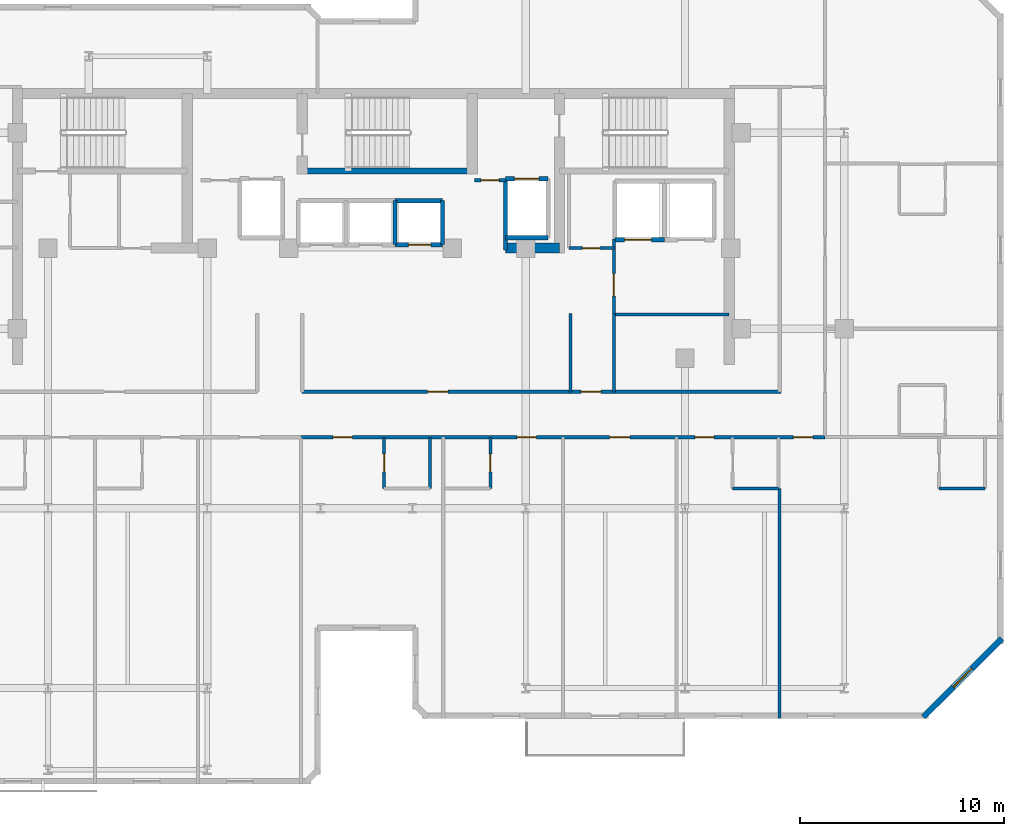
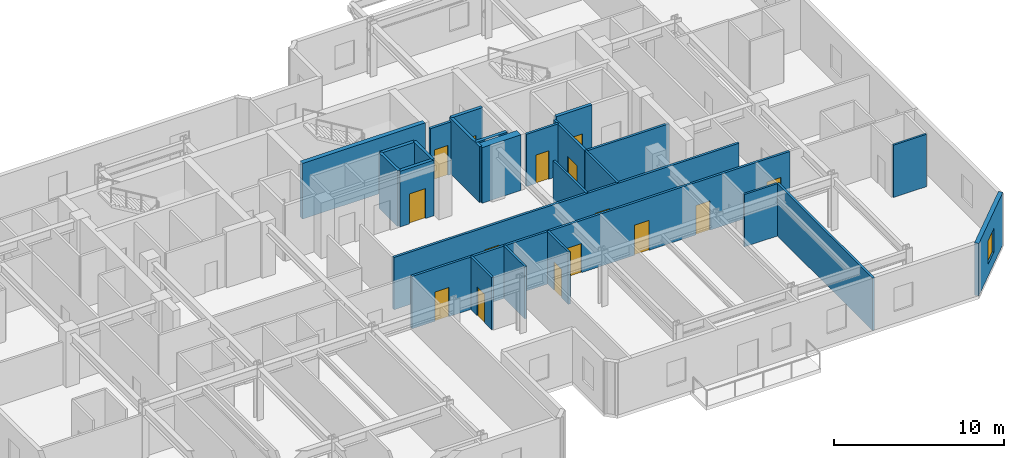
# One storey, part 6 of 10: 25 walls, 15 doors, 1 window, 16 openings.
"""IFC4 building model written with IfcOpenShell, lengths in metres."""

from ifc_helpers import new_model, si_unit, direction, frame, frame_2d, origin, place, context, subcontext, project, spatial, rectangle, extrude, material, layer, layer_set, type_object, element, fill, save


model = new_model("IFC4")

# Units and contexts
model_context = context("Model", 3, precision=1e-05, world=origin(), true_north=direction((0.0, 1.0)))
body_context = subcontext(model_context, "Body", "Model", "MODEL_VIEW")
ifc_project = project(units=[si_unit("LENGTHUNIT", "METRE"), si_unit("AREAUNIT", "SQUARE_METRE"), si_unit("VOLUMEUNIT", "CUBIC_METRE"), si_unit("PLANEANGLEUNIT", "RADIAN"), si_unit("MASSUNIT", "GRAM", prefix="KILO")], contexts=[model_context])

# Site, building, storey
site_placement = place(None, origin())
site = spatial("IfcSite", under=ifc_project, at=site_placement, CompositionType="ELEMENT")
building_placement = place(site_placement, origin())
building = spatial("IfcBuilding", under=site, at=building_placement, Name="Kestravale Grand Hotel", CompositionType="ELEMENT")
storey_placement = place(building_placement, frame((0.0, 0.0, 253.39990234375)))
storey = spatial("IfcBuildingStorey", under=building, at=storey_placement, Name="L63", CompositionType="ELEMENT", Elevation=253.39990234375)

# Wall
ifc_material_1 = material(Name="Concrete f'c 50 MPa", Category="concrete")
ifc_layer_1 = layer(ifc_material_1, 0.5)
ifc_layer_set_1 = layer_set([ifc_layer_1], Name="EW-CORE-500")
wall_type_1 = type_object("IfcWallType", Name="EW-CORE-500", PredefinedType="SHEAR", material=ifc_layer_set_1)
wall_1_placement = place(storey_placement, frame((45.81005859375, 32.75, 0.0), z_axis=(0.0, 0.0, 1.0), x_axis=(1.0, 0.0, 0.0)))
element("IfcWall", 1, at=wall_1_placement, inside=storey, type_object=wall_type_1, Name="L63 core shear wall S2", PredefinedType="SHEAR", context=body_context, shape_type="SweptSolid", body=[
    extrude(rectangle(XDim=2.639892578125, YDim=0.5, at=frame_2d((1.31982421875, 0.0))), origin(), (0.0, 0.0, 1.0), 4.0),
])

# Wall, opening, window
ifc_material_2 = material(Name="Precast concrete f'c 45 MPa", Category="concrete")
ifc_layer_2 = layer(ifc_material_2, 0.280029296875)
ifc_layer_set_2 = layer_set([ifc_layer_2], Name="EW-PREC-280")
wall_type_2 = type_object("IfcWallType", Name="EW-PREC-280", PredefinedType="SOLIDWALL", material=ifc_layer_set_2)
wall_2_placement = place(storey_placement, frame((66.272705078125, 9.770751953125, 0.0), z_axis=(0.0, 0.0, 1.0), x_axis=(0.707129162587, 0.707084399077, 0.0)))
wall_2 = element("IfcWall", 2, at=wall_2_placement, inside=storey, type_object=wall_type_2, Name="L63 fluted precast facade wall 8", PredefinedType="SOLIDWALL", context=body_context, shape_type="SweptSolid", body=[
    extrude(rectangle(XDim=5.4541015625, YDim=0.280029296875, at=frame_2d((2.72705078125, 0.0))), origin(), (0.0, 0.0, 1.0), 3.760009765625),
])
opening_1_placement = place(wall_2_placement, frame((2.076904296875, 0.0, 0.85009765625)))
opening_1 = element("IfcOpeningElement", 3, at=opening_1_placement, cuts=wall_2, Name="Opening W-GUEST-1300", PredefinedType="OPENING", context=body_context, shape_type="SweptSolid", body=[
    extrude(rectangle(XDim=1.300048828125, YDim=1.699951171875, at=frame_2d((0.64990234375, 0.85009765625))), frame((0.0, 0.14990234375, 0.0), z_axis=(0.0, -1.0, 0.0), x_axis=(1.0, 0.0, 0.0)), (0.0, 0.0, 1.0), 0.300048828125),
])
ifc_material_3 = material(Name="Insulated low-E double glazing in aluminium frame", Category="aluminium")
window_type = type_object("IfcWindowType", Name="W-GUEST-1300", PartitioningType="SINGLE_PANEL", PredefinedType="WINDOW", material=ifc_material_3)
window_placement = place(opening_1_placement, origin())
window = element("IfcWindow", 4, at=window_placement, inside=storey, type_object=window_type, Name="L63 exterior window 8.1", OverallHeight=1.699951171875, OverallWidth=1.300048828125, PartitioningType="SINGLE_PANEL", PredefinedType="WINDOW", context=body_context, shape_type="SweptSolid", body=[
    extrude(rectangle(XDim=1.300048828125, YDim=1.699951171875, at=frame_2d((0.64990234375, 0.85009765625))), frame((0.0, 0.030029296875, 0.0), z_axis=(0.0, -1.0, 0.0), x_axis=(1.0, 0.0, 0.0)), (0.0, 0.0, 1.0), 0.06005859375),
])
fill(opening_1, window)

# Wall
ifc_material_4 = material(Name="Concrete f'c 45 MPa", Category="concrete")
ifc_layer_3 = layer(ifc_material_4, 0.300048828125)
ifc_layer_set_3 = layer_set([ifc_layer_3], Name="EW-STAIR-300")
wall_type_3 = type_object("IfcWallType", Name="EW-STAIR-300", PredefinedType="SHEAR", material=ifc_layer_set_3)
wall_3_placement = place(storey_placement, frame((35.85009765625, 36.52001953125, 0.0), z_axis=(0.0, 0.0, 1.0), x_axis=(1.0, 0.0, 0.0)))
element("IfcWall", 5, at=wall_3_placement, inside=storey, type_object=wall_type_3, Name="L63 stair enclosure shear wall SST2", PredefinedType="SHEAR", context=body_context, shape_type="SweptSolid", body=[
    extrude(rectangle(XDim=8.329833984375, YDim=0.300048828125, at=frame_2d((4.1650390625, 0.0))), origin(), (0.0, 0.0, 1.0), 4.0),
])

# Wall, opening, door
ifc_material_5 = material(Name="Acoustic fire-rated gypsum board partition", Category="other")
ifc_layer_4 = layer(ifc_material_5, 0.159912109375)
ifc_layer_set_4 = layer_set([ifc_layer_4], Name="IW-CORR-160")
wall_type_4 = type_object("IfcWallType", Name="IW-CORR-160", PredefinedType="PARTITIONING", material=ifc_layer_set_4)
wall_4_placement = place(storey_placement, frame((51.1201171875, 29.5, 0.0), z_axis=(0.0, 0.0, 1.0), x_axis=(0.0, 1.0, 0.0)))
wall_4 = element("IfcWall", 6, at=wall_4_placement, inside=storey, type_object=wall_type_4, Name="W-L63-SVCLOB-W", PredefinedType="PARTITIONING", context=body_context, shape_type="SweptSolid", body=[
    extrude(rectangle(XDim=3.699951171875, YDim=0.159912109375, at=frame_2d((1.85009765625, 0.0))), origin(), (0.0, 0.0, 1.0), 3.760009765625),
])
opening_2_placement = place(wall_4_placement, frame((0.89990234375, 0.0, 0.0)))
opening_2 = element("IfcOpeningElement", 7, at=opening_2_placement, cuts=wall_4, Name="Opening D-CORR-1100", PredefinedType="OPENING", context=body_context, shape_type="SweptSolid", body=[
    extrude(rectangle(XDim=1.10009765625, YDim=2.14990234375, at=frame_2d((0.550048828125, 1.074951171875))), frame((0.0, 0.08984375, 0.0), z_axis=(0.0, -1.0, 0.0), x_axis=(1.0, 0.0, 0.0)), (0.0, 0.0, 1.0), 0.179931640625),
])
ifc_material_6 = material(Name="Single-leaf service vestibule fire door", Category="steel")
door_type_1 = type_object("IfcDoorType", Name="D-CORR-1100", OperationType="NOTDEFINED", PredefinedType="DOOR", material=ifc_material_6)
door_1_placement = place(opening_2_placement, origin())
door_1 = element("IfcDoor", 8, at=door_1_placement, inside=storey, type_object=door_type_1, Name="L63 service lift lobby door", OperationType="SINGLE_SWING_LEFT", OverallHeight=2.14990234375, OverallWidth=1.10009765625, PredefinedType="DOOR", context=body_context, shape_type="SweptSolid", body=[
    extrude(rectangle(XDim=1.10009765625, YDim=2.14990234375, at=frame_2d((0.550048828125, 1.074951171875))), frame((0.0, 0.02490234375, 0.0), z_axis=(0.0, -1.0, 0.0), x_axis=(1.0, 0.0, 0.0)), (0.0, 0.0, 1.0), 0.050048828125),
])
fill(opening_2, door_1)

# Wall
wall_5_placement = place(storey_placement, frame((51.1201171875, 29.5, 0.0), z_axis=(0.0, 0.0, 1.0), x_axis=(1.0, 0.0, 0.0)))
element("IfcWall", 9, at=wall_5_placement, inside=storey, type_object=wall_type_4, Name="L63 service lift lobby wall", PredefinedType="PARTITIONING", context=body_context, shape_type="SweptSolid", body=[
    extrude(rectangle(XDim=5.6298828125, YDim=0.159912109375, at=frame_2d((2.81494140625, 0.0))), origin(), (0.0, 0.0, 1.0), 3.760009765625),
])

# Wall, opening, door
wall_6_placement = place(storey_placement, frame((48.919921875, 32.75, 0.0), z_axis=(0.0, 0.0, 1.0), x_axis=(1.0, 0.0, 0.0)))
wall_6 = element("IfcWall", 10, at=wall_6_placement, inside=storey, type_object=wall_type_4, Name="W-L63-CES", PredefinedType="PARTITIONING", context=body_context, shape_type="SweptSolid", body=[
    extrude(rectangle(XDim=2.2001953125, YDim=0.159912109375, at=frame_2d((1.10009765625, 0.0))), origin(), (0.0, 0.0, 1.0), 3.760009765625),
])
opening_3_placement = place(wall_6_placement, frame((0.64990234375, 0.0, 0.0)))
opening_3 = element("IfcOpeningElement", 11, at=opening_3_placement, cuts=wall_6, Name="Opening D-SH-860", PredefinedType="OPENING", context=body_context, shape_type="SweptSolid", body=[
    extrude(rectangle(XDim=0.860107421875, YDim=2.050048828125, at=frame_2d((0.43017578125, 1.02490234375))), frame((0.0, 0.08984375, 0.0), z_axis=(0.0, -1.0, 0.0), x_axis=(1.0, 0.0, 0.0)), (0.0, 0.0, 1.0), 0.179931640625),
])
ifc_material_7 = material(Name="Galvanised 90-minute riser fire door", Category="steel")
door_type_2 = type_object("IfcDoorType", Name="D-SH-860", OperationType="NOTDEFINED", PredefinedType="DOOR", material=ifc_material_7)
door_2_placement = place(opening_3_placement, origin())
door_2 = element("IfcDoor", 12, at=door_2_placement, inside=storey, type_object=door_type_2, Name="L63 CSTO1 door", OperationType="SINGLE_SWING_RIGHT", OverallHeight=2.050048828125, OverallWidth=0.860107421875, PredefinedType="DOOR", context=body_context, shape_type="SweptSolid", body=[
    extrude(rectangle(XDim=0.860107421875, YDim=2.050048828125, at=frame_2d((0.43017578125, 1.02490234375))), frame((0.0, 0.02490234375, 0.0), z_axis=(0.0, -1.0, 0.0), x_axis=(1.0, 0.0, 0.0)), (0.0, 0.0, 1.0), 0.050048828125),
])
fill(opening_3, door_2)

# Wall, openings, doors
wall_7_placement = place(storey_placement, frame((35.85009765625, 25.7099609375, 0.0), z_axis=(0.0, 0.0, 1.0), x_axis=(1.0, 0.0, 0.0)))
wall_7 = element("IfcWall", 13, at=wall_7_placement, inside=storey, type_object=wall_type_4, Name="W-L63-CE-N", PredefinedType="PARTITIONING", context=body_context, shape_type="SweptSolid", body=[
    extrude(rectangle(XDim=23.449951171875, YDim=0.159912109375, at=frame_2d((11.72509765625, 0.0))), origin(), (0.0, 0.0, 1.0), 3.760009765625),
])
opening_4_placement = place(wall_7_placement, frame((6.14990234375, 0.0, 0.0)))
opening_4 = element("IfcOpeningElement", 14, at=opening_4_placement, cuts=wall_7, Name="Opening D-GUEST-1000", PredefinedType="OPENING", context=body_context, shape_type="SweptSolid", body=[
    extrude(rectangle(XDim=1.0, YDim=2.14990234375, at=frame_2d((0.5, 1.074951171875))), frame((0.0, 0.08984375, 0.0), z_axis=(0.0, -1.0, 0.0), x_axis=(1.0, 0.0, 0.0)), (0.0, 0.0, 1.0), 0.179931640625),
])
opening_5_placement = place(wall_7_placement, frame((13.64990234375, 0.0, 0.0)))
opening_5 = element("IfcOpeningElement", 15, at=opening_5_placement, cuts=wall_7, Name="Opening D-GUEST-1000", PredefinedType="OPENING", context=body_context, shape_type="SweptSolid", body=[
    extrude(rectangle(XDim=1.0, YDim=2.14990234375, at=frame_2d((0.5, 1.074951171875))), frame((0.0, 0.08984375, 0.0), z_axis=(0.0, -1.0, 0.0), x_axis=(1.0, 0.0, 0.0)), (0.0, 0.0, 1.0), 0.179931640625),
])
ifc_material_8 = material(Name="Accessible walnut veneer hotel entrance fire door", Category="wood")
door_type_3 = type_object("IfcDoorType", Name="D-GUEST-1000", OperationType="NOTDEFINED", PredefinedType="DOOR", material=ifc_material_8)
door_3_placement = place(opening_4_placement, origin())
door_3 = element("IfcDoor", 16, at=door_3_placement, inside=storey, type_object=door_type_3, Name="D-L63-RECL-E1", OperationType="SINGLE_SWING_RIGHT", OverallHeight=2.14990234375, OverallWidth=1.0, PredefinedType="DOOR", context=body_context, shape_type="SweptSolid", body=[
    extrude(rectangle(XDim=1.0, YDim=2.14990234375, at=frame_2d((0.5, 1.074951171875))), frame((0.0, 0.02490234375, 0.0), z_axis=(0.0, -1.0, 0.0), x_axis=(1.0, 0.0, 0.0)), (0.0, 0.0, 1.0), 0.050048828125),
])
fill(opening_4, door_3)
door_4_placement = place(opening_5_placement, origin())
door_4 = element("IfcDoor", 17, at=door_4_placement, inside=storey, type_object=door_type_3, Name="D-L63-RECL-E2", OperationType="SINGLE_SWING_LEFT", OverallHeight=2.14990234375, OverallWidth=1.0, PredefinedType="DOOR", context=body_context, shape_type="SweptSolid", body=[
    extrude(rectangle(XDim=1.0, YDim=2.14990234375, at=frame_2d((0.5, 1.074951171875))), frame((0.0, 0.02490234375, 0.0), z_axis=(0.0, -1.0, 0.0), x_axis=(1.0, 0.0, 0.0)), (0.0, 0.0, 1.0), 0.050048828125),
])
fill(opening_5, door_4)

wall_8_placement = place(storey_placement, frame((35.800048828125, 23.489990234375, 0.0), z_axis=(0.0, 0.0, 1.0), x_axis=(1.0, 0.0, 0.0)))
wall_8 = element("IfcWall", 18, at=wall_8_placement, inside=storey, type_object=wall_type_4, Name="W-L63-CE-S", PredefinedType="PARTITIONING", context=body_context, shape_type="SweptSolid", body=[
    extrude(rectangle(XDim=25.659912109375, YDim=0.159912109375, at=frame_2d((12.830078125, 0.0))), origin(), (0.0, 0.0, 1.0), 3.760009765625),
])
opening_6_placement = place(wall_8_placement, frame((1.554931640625, 0.0, 0.0)))
opening_6 = element("IfcOpeningElement", 19, at=opening_6_placement, cuts=wall_8, Name="Opening D-GUEST-950", PredefinedType="OPENING", context=body_context, shape_type="SweptSolid", body=[
    extrude(rectangle(XDim=0.949951171875, YDim=2.10009765625, at=frame_2d((0.47509765625, 1.050048828125))), frame((0.0, 0.08984375, 0.0), z_axis=(0.0, -1.0, 0.0), x_axis=(1.0, 0.0, 0.0)), (0.0, 0.0, 1.0), 0.179931640625),
])
opening_7_placement = place(wall_8_placement, frame((10.570068359375, 0.0, 0.0)))
opening_7 = element("IfcOpeningElement", 20, at=opening_7_placement, cuts=wall_8, Name="Opening D-GUEST-950", PredefinedType="OPENING", context=body_context, shape_type="SweptSolid", body=[
    extrude(rectangle(XDim=0.949951171875, YDim=2.10009765625, at=frame_2d((0.47509765625, 1.050048828125))), frame((0.0, 0.08984375, 0.0), z_axis=(0.0, -1.0, 0.0), x_axis=(1.0, 0.0, 0.0)), (0.0, 0.0, 1.0), 0.179931640625),
])
opening_8_placement = place(wall_8_placement, frame((15.10498046875, 0.0, 0.0)))
opening_8 = element("IfcOpeningElement", 21, at=opening_8_placement, cuts=wall_8, Name="Opening D-GUEST-1000", PredefinedType="OPENING", context=body_context, shape_type="SweptSolid", body=[
    extrude(rectangle(XDim=1.0, YDim=2.14990234375, at=frame_2d((0.5, 1.074951171875))), frame((0.0, 0.08984375, 0.0), z_axis=(0.0, -1.0, 0.0), x_axis=(1.0, 0.0, 0.0)), (0.0, 0.0, 1.0), 0.179931640625),
])
opening_9_placement = place(wall_8_placement, frame((19.284912109375, 0.0, 0.0)))
opening_9 = element("IfcOpeningElement", 22, at=opening_9_placement, cuts=wall_8, Name="Opening D-GUEST-950", PredefinedType="OPENING", context=body_context, shape_type="SweptSolid", body=[
    extrude(rectangle(XDim=0.949951171875, YDim=2.10009765625, at=frame_2d((0.47509765625, 1.050048828125))), frame((0.0, 0.08984375, 0.0), z_axis=(0.0, -1.0, 0.0), x_axis=(1.0, 0.0, 0.0)), (0.0, 0.0, 1.0), 0.179931640625),
])
opening_10_placement = place(wall_8_placement, frame((24.114990234375, 0.0, 0.0)))
opening_10 = element("IfcOpeningElement", 23, at=opening_10_placement, cuts=wall_8, Name="Opening D-GUEST-950", PredefinedType="OPENING", context=body_context, shape_type="SweptSolid", body=[
    extrude(rectangle(XDim=0.949951171875, YDim=2.10009765625, at=frame_2d((0.47509765625, 1.050048828125))), frame((0.0, 0.08984375, 0.0), z_axis=(0.0, -1.0, 0.0), x_axis=(1.0, 0.0, 0.0)), (0.0, 0.0, 1.0), 0.179931640625),
])
door_5_placement = place(opening_8_placement, origin())
door_5 = element("IfcDoor", 24, at=door_5_placement, inside=storey, type_object=door_type_3, Name="D-L63-AME", OperationType="SINGLE_SWING_LEFT", OverallHeight=2.14990234375, OverallWidth=1.0, PredefinedType="DOOR", context=body_context, shape_type="SweptSolid", body=[
    extrude(rectangle(XDim=1.0, YDim=2.14990234375, at=frame_2d((0.5, 1.074951171875))), frame((0.0, 0.02490234375, 0.0), z_axis=(0.0, -1.0, 0.0), x_axis=(1.0, 0.0, 0.0)), (0.0, 0.0, 1.0), 0.050048828125),
])
fill(opening_8, door_5)
ifc_material_9 = material(Name="Walnut veneer hotel guestroom entrance fire door", Category="wood")
door_type_4 = type_object("IfcDoorType", Name="D-GUEST-950", OperationType="NOTDEFINED", PredefinedType="DOOR", material=ifc_material_9)
door_6_placement = place(opening_6_placement, origin())
door_6 = element("IfcDoor", 25, at=door_6_placement, inside=storey, type_object=door_type_4, Name="D-L63-U03-ENT", OperationType="SINGLE_SWING_RIGHT", OverallHeight=2.10009765625, OverallWidth=0.949951171875, PredefinedType="DOOR", context=body_context, shape_type="SweptSolid", body=[
    extrude(rectangle(XDim=0.949951171875, YDim=2.10009765625, at=frame_2d((0.47509765625, 1.050048828125))), frame((0.0, 0.02490234375, 0.0), z_axis=(0.0, -1.0, 0.0), x_axis=(1.0, 0.0, 0.0)), (0.0, 0.0, 1.0), 0.050048828125),
])
fill(opening_6, door_6)
door_7_placement = place(opening_7_placement, origin())
door_7 = element("IfcDoor", 26, at=door_7_placement, inside=storey, type_object=door_type_4, Name="D-L63-U04-ENT", OperationType="SINGLE_SWING_RIGHT", OverallHeight=2.10009765625, OverallWidth=0.949951171875, PredefinedType="DOOR", context=body_context, shape_type="SweptSolid", body=[
    extrude(rectangle(XDim=0.949951171875, YDim=2.10009765625, at=frame_2d((0.47509765625, 1.050048828125))), frame((0.0, 0.02490234375, 0.0), z_axis=(0.0, -1.0, 0.0), x_axis=(1.0, 0.0, 0.0)), (0.0, 0.0, 1.0), 0.050048828125),
])
fill(opening_7, door_7)
door_8_placement = place(opening_9_placement, origin())
door_8 = element("IfcDoor", 27, at=door_8_placement, inside=storey, type_object=door_type_4, Name="D-L63-U05-ENT", OperationType="SINGLE_SWING_LEFT", OverallHeight=2.10009765625, OverallWidth=0.949951171875, PredefinedType="DOOR", context=body_context, shape_type="SweptSolid", body=[
    extrude(rectangle(XDim=0.949951171875, YDim=2.10009765625, at=frame_2d((0.47509765625, 1.050048828125))), frame((0.0, 0.02490234375, 0.0), z_axis=(0.0, -1.0, 0.0), x_axis=(1.0, 0.0, 0.0)), (0.0, 0.0, 1.0), 0.050048828125),
])
fill(opening_9, door_8)
door_9_placement = place(opening_10_placement, origin())
door_9 = element("IfcDoor", 28, at=door_9_placement, inside=storey, type_object=door_type_4, Name="D-L63-U09-ENT", OperationType="SINGLE_SWING_RIGHT", OverallHeight=2.10009765625, OverallWidth=0.949951171875, PredefinedType="DOOR", context=body_context, shape_type="SweptSolid", body=[
    extrude(rectangle(XDim=0.949951171875, YDim=2.10009765625, at=frame_2d((0.47509765625, 1.050048828125))), frame((0.0, 0.02490234375, 0.0), z_axis=(0.0, -1.0, 0.0), x_axis=(1.0, 0.0, 0.0)), (0.0, 0.0, 1.0), 0.050048828125),
])
fill(opening_10, door_9)

# Wall, opening, door
ifc_material_10 = material(Name="Fire-rated gypsum board on steel studs with mineral wool", Category="steel")
ifc_layer_5 = layer(ifc_material_10, 0.179931640625)
ifc_layer_set_5 = layer_set([ifc_layer_5], Name="IW-FSAE-180")
wall_type_5 = type_object("IfcWallType", Name="IW-FSAE-180", PredefinedType="PARTITIONING", material=ifc_layer_set_5)
wall_9_placement = place(storey_placement, frame((44.300048828125, 36.080078125, 0.0), z_axis=(0.0, 0.0, 1.0), x_axis=(1.0, 0.0, 0.0)))
wall_9 = element("IfcWall", 29, at=wall_9_placement, inside=storey, type_object=wall_type_5, Name="L63 FSAE Lobby 2 smoke barrier", PredefinedType="PARTITIONING", context=body_context, shape_type="SweptSolid", body=[
    extrude(rectangle(XDim=1.5, YDim=0.179931640625, at=frame_2d((0.75, 0.0))), origin(), (0.0, 0.0, 1.0), 3.760009765625),
])
opening_11_placement = place(wall_9_placement, frame((0.300048828125, 0.0, 0.0)))
opening_11 = element("IfcOpeningElement", 30, at=opening_11_placement, cuts=wall_9, Name="Opening D-FSAE-1000", PredefinedType="OPENING", context=body_context, shape_type="SweptSolid", body=[
    extrude(rectangle(XDim=0.89990234375, YDim=2.14990234375, at=frame_2d((0.449951171875, 1.074951171875))), frame((0.0, 0.099853515625, 0.0), z_axis=(0.0, -1.0, 0.0), x_axis=(1.0, 0.0, 0.0)), (0.0, 0.0, 1.0), 0.199951171875),
])
ifc_material_11 = material(Name="Smoke-gasketed FSAE lobby fire door", Category="steel")
door_type_5 = type_object("IfcDoorType", Name="D-FSAE-1000", OperationType="NOTDEFINED", PredefinedType="DOOR", material=ifc_material_11)
door_10_placement = place(opening_11_placement, origin())
door_10 = element("IfcDoor", 31, at=door_10_placement, inside=storey, type_object=door_type_5, Name="L63 FSAE Lobby 2 fire door", OperationType="SINGLE_SWING_LEFT", OverallHeight=2.14990234375, OverallWidth=0.89990234375, PredefinedType="DOOR", context=body_context, shape_type="SweptSolid", body=[
    extrude(rectangle(XDim=0.89990234375, YDim=2.14990234375, at=frame_2d((0.449951171875, 1.074951171875))), frame((0.0, 0.02490234375, 0.0), z_axis=(0.0, -1.0, 0.0), x_axis=(1.0, 0.0, 0.0)), (0.0, 0.0, 1.0), 0.050048828125),
])
fill(opening_11, door_10)

ifc_material_12 = material(Name="Moisture-resistant tile-backer plumbing chase wall", Category="other")
ifc_layer_6 = layer(ifc_material_12, 0.139892578125)
ifc_layer_set_6 = layer_set([ifc_layer_6], Name="IW-PLB-140")
wall_type_6 = type_object("IfcWallType", Name="IW-PLB-140", PredefinedType="PLUMBINGWALL", material=ifc_layer_set_6)
wall_10_placement = place(storey_placement, frame((39.860107421875, 20.97998046875, 0.0), z_axis=(0.0, 0.0, 1.0), x_axis=(0.0, 1.0, 0.0)))
wall_10 = element("IfcWall", 32, at=wall_10_placement, inside=storey, type_object=wall_type_6, Name="W-L63-U03-BW", PredefinedType="PLUMBINGWALL", context=body_context, shape_type="SweptSolid", body=[
    extrude(rectangle(XDim=2.489990234375, YDim=0.139892578125, at=frame_2d((1.2451171875, 0.0))), origin(), (0.0, 0.0, 1.0), 3.760009765625),
])
opening_12_placement = place(wall_10_placement, frame((0.804931640625, 0.0, 0.0)))
opening_12 = element("IfcOpeningElement", 33, at=opening_12_placement, cuts=wall_10, Name="Opening D-BATH-880", PredefinedType="OPENING", context=body_context, shape_type="SweptSolid", body=[
    extrude(rectangle(XDim=0.8798828125, YDim=2.050048828125, at=frame_2d((0.43994140625, 1.02490234375))), frame((0.0, 0.079833984375, 0.0), z_axis=(0.0, -1.0, 0.0), x_axis=(1.0, 0.0, 0.0)), (0.0, 0.0, 1.0), 0.159912109375),
])
ifc_material_13 = material(Name="Moisture-sealed walnut en-suite bathroom door", Category="wood")
door_type_6 = type_object("IfcDoorType", Name="D-BATH-880", OperationType="NOTDEFINED", PredefinedType="DOOR", material=ifc_material_13)
door_11_placement = place(opening_12_placement, origin())
door_11 = element("IfcDoor", 34, at=door_11_placement, inside=storey, type_object=door_type_6, Name="D-L63-U03-BATH", OperationType="SINGLE_SWING_LEFT", OverallHeight=2.050048828125, OverallWidth=0.8798828125, PredefinedType="DOOR", context=body_context, shape_type="SweptSolid", body=[
    extrude(rectangle(XDim=0.8798828125, YDim=2.050048828125, at=frame_2d((0.43994140625, 1.02490234375))), frame((0.0, 0.02490234375, 0.0), z_axis=(0.0, -1.0, 0.0), x_axis=(1.0, 0.0, 0.0)), (0.0, 0.0, 1.0), 0.050048828125),
])
fill(opening_12, door_11)

# Wall
wall_11_placement = place(storey_placement, frame((42.110107421875, 20.97998046875, 0.0), z_axis=(0.0, 0.0, 1.0), x_axis=(0.0, 1.0, 0.0)))
element("IfcWall", 35, at=wall_11_placement, inside=storey, type_object=wall_type_6, Name="W-L63-U03-BE", PredefinedType="PLUMBINGWALL", context=body_context, shape_type="SweptSolid", body=[
    extrude(rectangle(XDim=2.489990234375, YDim=0.139892578125, at=frame_2d((1.2451171875, 0.0))), origin(), (0.0, 0.0, 1.0), 3.760009765625),
])

# Wall, opening, door
wall_12_placement = place(storey_placement, frame((45.070068359375, 20.97998046875, 0.0), z_axis=(0.0, 0.0, 1.0), x_axis=(0.0, 1.0, 0.0)))
wall_12 = element("IfcWall", 36, at=wall_12_placement, inside=storey, type_object=wall_type_6, Name="W-L63-U04-BE", PredefinedType="PLUMBINGWALL", context=body_context, shape_type="SweptSolid", body=[
    extrude(rectangle(XDim=2.489990234375, YDim=0.139892578125, at=frame_2d((1.2451171875, 0.0))), origin(), (0.0, 0.0, 1.0), 3.760009765625),
])
opening_13_placement = place(wall_12_placement, frame((0.804931640625, 0.0, 0.0)))
opening_13 = element("IfcOpeningElement", 37, at=opening_13_placement, cuts=wall_12, Name="Opening D-BATH-880", PredefinedType="OPENING", context=body_context, shape_type="SweptSolid", body=[
    extrude(rectangle(XDim=0.8798828125, YDim=2.050048828125, at=frame_2d((0.43994140625, 1.02490234375))), frame((0.0, 0.079833984375, 0.0), z_axis=(0.0, -1.0, 0.0), x_axis=(1.0, 0.0, 0.0)), (0.0, 0.0, 1.0), 0.159912109375),
])
door_12_placement = place(opening_13_placement, origin())
door_12 = element("IfcDoor", 38, at=door_12_placement, inside=storey, type_object=door_type_6, Name="D-L63-U04-BATH", OperationType="SINGLE_SWING_LEFT", OverallHeight=2.050048828125, OverallWidth=0.8798828125, PredefinedType="DOOR", context=body_context, shape_type="SweptSolid", body=[
    extrude(rectangle(XDim=0.8798828125, YDim=2.050048828125, at=frame_2d((0.43994140625, 1.02490234375))), frame((0.0, 0.02490234375, 0.0), z_axis=(0.0, -1.0, 0.0), x_axis=(1.0, 0.0, 0.0)), (0.0, 0.0, 1.0), 0.050048828125),
])
fill(opening_13, door_12)

# Walls
for number, where, z_axis, x_axis, name in (
    (39, (56.929931640625, 20.97998046875, 0.0), (0.0, 0.0, 1.0), (1.0, 0.0, 0.0), "W-L63-U05-BS"),
    (40, (67.050048828125, 20.97998046875, 0.0), (0.0, 0.0, 1.0), (1.0, 0.0, 0.0), "W-L63-U09-BS"),
):
    element("IfcWall", number, at=place(storey_placement, frame(where, z_axis=z_axis, x_axis=x_axis)), inside=storey, type_object=wall_type_6, Name=name, PredefinedType="PLUMBINGWALL", context=body_context, shape_type="SweptSolid", body=[
        extrude(rectangle(XDim=2.25, YDim=0.139892578125, at=frame_2d((1.125, 0.0))), origin(), (0.0, 0.0, 1.0), 3.760009765625),
    ])
ifc_material_14 = material(Name="Concrete f'c 45 MPa", Category="concrete")
ifc_layer_7 = layer(ifc_material_14, 0.199951171875)
ifc_layer_set_7 = layer_set([ifc_layer_7], Name="IW-SHAFT-200")
wall_type_7 = type_object("IfcWallType", Name="IW-SHAFT-200", PredefinedType="SHEAR", material=ifc_layer_set_7)
for number, where, z_axis, x_axis, name in (
    (41, (40.39990234375, 32.919921875, 0.0), (0.0, 0.0, 1.0), (0.0, 1.0, 0.0), "L63 PL-X3 west shaft wall"),
    (42, (42.719970703125, 32.919921875, 0.0), (0.0, 0.0, 1.0), (0.0, 1.0, 0.0), "L63 PL-X3 east shaft wall"),
):
    element("IfcWall", number, at=place(storey_placement, frame(where, z_axis=z_axis, x_axis=x_axis)), inside=storey, type_object=wall_type_7, Name=name, PredefinedType="SHEAR", context=body_context, shape_type="SweptSolid", body=[
        extrude(rectangle(XDim=2.16015625, YDim=0.199951171875, at=frame_2d((1.080078125, 0.0))), origin(), (0.0, 0.0, 1.0), 4.0),
    ])
wall_13_placement = place(storey_placement, frame((45.804931640625, 32.64990234375, 0.0), z_axis=(0.0, 0.0, 1.0), x_axis=(0.0, 1.0, 0.0)))
element("IfcWall", 43, at=wall_13_placement, inside=storey, type_object=wall_type_7, Name="L63 FL-2 west shaft wall", PredefinedType="SHEAR", context=body_context, shape_type="SweptSolid", body=[
    extrude(rectangle(XDim=3.505126953125, YDim=0.199951171875, at=frame_2d((1.75244140625, 0.0))), origin(), (0.0, 0.0, 1.0), 4.0),
])
ifc_material_15 = material(Name="Concrete f'c 45 MPa", Category="concrete")
ifc_layer_8 = layer(ifc_material_15, 0.219970703125)
ifc_layer_set_8 = layer_set([ifc_layer_8], Name="IW-SHAFT-220")
wall_type_8 = type_object("IfcWallType", Name="IW-SHAFT-220", PredefinedType="SHEAR", material=ifc_layer_set_8)
wall_14_placement = place(storey_placement, frame((40.39990234375, 35.080078125, 0.0), z_axis=(0.0, 0.0, 1.0), x_axis=(1.0, 0.0, 0.0)))
element("IfcWall", 44, at=wall_14_placement, inside=storey, type_object=wall_type_8, Name="L63 PL-X3 north shaft wall", PredefinedType="SHEAR", context=body_context, shape_type="SweptSolid", body=[
    extrude(rectangle(XDim=2.320068359375, YDim=0.219970703125, at=frame_2d((1.16015625, 0.0))), origin(), (0.0, 0.0, 1.0), 4.0),
])

# Wall, opening, door
wall_15_placement = place(storey_placement, frame((40.39990234375, 32.919921875, 0.0), z_axis=(0.0, 0.0, 1.0), x_axis=(1.0, 0.0, 0.0)))
wall_15 = element("IfcWall", 45, at=wall_15_placement, inside=storey, type_object=wall_type_8, Name="L63 PL-X3 south shaft wall", PredefinedType="SHEAR", context=body_context, shape_type="SweptSolid", body=[
    extrude(rectangle(XDim=2.320068359375, YDim=0.219970703125, at=frame_2d((1.16015625, 0.0))), origin(), (0.0, 0.0, 1.0), 4.0),
])
opening_14_placement = place(wall_15_placement, frame((0.64990234375, 0.0, 0.0)))
opening_14 = element("IfcOpeningElement", 46, at=opening_14_placement, cuts=wall_15, Name="Opening LD-PAX-1100", PredefinedType="OPENING", context=body_context, shape_type="SweptSolid", body=[
    extrude(rectangle(XDim=1.10009765625, YDim=2.14990234375, at=frame_2d((0.550048828125, 1.074951171875))), frame((0.0, 0.119873046875, 0.0), z_axis=(0.0, -1.0, 0.0), x_axis=(1.0, 0.0, 0.0)), (0.0, 0.0, 1.0), 0.239990234375),
])
ifc_material_16 = material(Name="Champagne-bronze center-opening sliding elevator landing door", Category="steel")
door_type_7 = type_object("IfcDoorType", Name="LD-PAX-1100", OperationType="NOTDEFINED", PredefinedType="DOOR", material=ifc_material_16)
door_13_placement = place(opening_14_placement, origin())
door_13 = element("IfcDoor", 47, at=door_13_placement, inside=storey, type_object=door_type_7, Name="L63 PL-X3 elevator landing sliding door", OperationType="DOUBLE_DOOR_SLIDING", OverallHeight=2.14990234375, OverallWidth=1.10009765625, PredefinedType="DOOR", context=body_context, shape_type="SweptSolid", body=[
    extrude(rectangle(XDim=1.10009765625, YDim=2.14990234375, at=frame_2d((0.550048828125, 1.074951171875))), frame((0.0, 0.02490234375, 0.0), z_axis=(0.0, -1.0, 0.0), x_axis=(1.0, 0.0, 0.0)), (0.0, 0.0, 1.0), 0.050048828125),
])
fill(opening_14, door_13)

wall_16_placement = place(storey_placement, frame((51.179931640625, 33.169921875, 0.0), z_axis=(0.0, 0.0, 1.0), x_axis=(1.0, 0.0, 0.0)))
wall_16 = element("IfcWall", 48, at=wall_16_placement, inside=storey, type_object=wall_type_8, Name="L63 SL-1 south shaft wall", PredefinedType="SHEAR", context=body_context, shape_type="SweptSolid", body=[
    extrude(rectangle(XDim=2.420166015625, YDim=0.219970703125, at=frame_2d((1.2099609375, 0.0))), origin(), (0.0, 0.0, 1.0), 4.0),
])
opening_15_placement = place(wall_16_placement, frame((0.469970703125, 0.0, 0.0)))
opening_15 = element("IfcOpeningElement", 49, at=opening_15_placement, cuts=wall_16, Name="Opening LD-SVC-1300", PredefinedType="OPENING", context=body_context, shape_type="SweptSolid", body=[
    extrude(rectangle(XDim=1.300048828125, YDim=2.14990234375, at=frame_2d((0.64990234375, 1.074951171875))), frame((0.0, 0.119873046875, 0.0), z_axis=(0.0, -1.0, 0.0), x_axis=(1.0, 0.0, 0.0)), (0.0, 0.0, 1.0), 0.239990234375),
])
ifc_material_17 = material(Name="Heavy-duty service sliding elevator landing door", Category="steel")
door_type_8 = type_object("IfcDoorType", Name="LD-SVC-1300", OperationType="NOTDEFINED", PredefinedType="DOOR", material=ifc_material_17)
door_14_placement = place(opening_15_placement, origin())
door_14 = element("IfcDoor", 50, at=door_14_placement, inside=storey, type_object=door_type_8, Name="L63 SL-1 elevator landing sliding door", OperationType="DOUBLE_DOOR_SLIDING", OverallHeight=2.14990234375, OverallWidth=1.300048828125, PredefinedType="DOOR", context=body_context, shape_type="SweptSolid", body=[
    extrude(rectangle(XDim=1.300048828125, YDim=2.14990234375, at=frame_2d((0.64990234375, 1.074951171875))), frame((0.0, 0.02490234375, 0.0), z_axis=(0.0, -1.0, 0.0), x_axis=(1.0, 0.0, 0.0)), (0.0, 0.0, 1.0), 0.050048828125),
])
fill(opening_15, door_14)

wall_17_placement = place(storey_placement, frame((45.804931640625, 36.155029296875, 0.0), z_axis=(0.0, 0.0, 1.0), x_axis=(1.0, 0.0, 0.0)))
wall_17 = element("IfcWall", 51, at=wall_17_placement, inside=storey, type_object=wall_type_8, Name="L63 FL-2 north shaft wall", PredefinedType="SHEAR", context=body_context, shape_type="SweptSolid", body=[
    extrude(rectangle(XDim=2.090087890625, YDim=0.219970703125, at=frame_2d((1.044921875, 0.0))), origin(), (0.0, 0.0, 1.0), 4.0),
])
opening_16_placement = place(wall_17_placement, frame((0.445068359375, 0.0, 0.0)))
opening_16 = element("IfcOpeningElement", 52, at=opening_16_placement, cuts=wall_17, Name="Opening LD-FSAE-1200", PredefinedType="OPENING", context=body_context, shape_type="SweptSolid", body=[
    extrude(rectangle(XDim=1.199951171875, YDim=2.14990234375, at=frame_2d((0.60009765625, 1.074951171875))), frame((0.0, 0.119873046875, 0.0), z_axis=(0.0, -1.0, 0.0), x_axis=(1.0, 0.0, 0.0)), (0.0, 0.0, 1.0), 0.239990234375),
])
ifc_material_18 = material(Name="Stainless fire-service sliding elevator landing door", Category="steel")
door_type_9 = type_object("IfcDoorType", Name="LD-FSAE-1200", OperationType="NOTDEFINED", PredefinedType="DOOR", material=ifc_material_18)
door_15_placement = place(opening_16_placement, origin())
door_15 = element("IfcDoor", 53, at=door_15_placement, inside=storey, type_object=door_type_9, Name="L63 FL-2 elevator landing sliding door", OperationType="DOUBLE_DOOR_SLIDING", OverallHeight=2.14990234375, OverallWidth=1.199951171875, PredefinedType="DOOR", context=body_context, shape_type="SweptSolid", body=[
    extrude(rectangle(XDim=1.199951171875, YDim=2.14990234375, at=frame_2d((0.60009765625, 1.074951171875))), frame((0.0, 0.02490234375, 0.0), z_axis=(0.0, -1.0, 0.0), x_axis=(1.0, 0.0, 0.0)), (0.0, 0.0, 1.0), 0.050048828125),
])
fill(opening_16, door_15)

# Walls
wall_18_placement = place(storey_placement, frame((45.804931640625, 33.2451171875, 0.0), z_axis=(0.0, 0.0, 1.0), x_axis=(1.0, 0.0, 0.0)))
element("IfcWall", 54, at=wall_18_placement, inside=storey, type_object=wall_type_8, Name="L63 FL-2 south shaft wall", PredefinedType="SHEAR", context=body_context, shape_type="SweptSolid", body=[
    extrude(rectangle(XDim=2.090087890625, YDim=0.219970703125, at=frame_2d((1.044921875, 0.0))), origin(), (0.0, 0.0, 1.0), 4.0),
])
ifc_material_19 = material(Name="Double-stud STC 52 acoustic demising partition", Category="other")
ifc_layer_9 = layer(ifc_material_19, 0.14990234375)
ifc_layer_set_9 = layer_set([ifc_layer_9], Name="IW-UNIT-150")
wall_type_9 = type_object("IfcWallType", Name="IW-UNIT-150", PredefinedType="PARTITIONING", material=ifc_layer_set_9)
for number, where, z_axis, x_axis, name in (
    (55, (49.0, 25.7099609375, 0.0), (0.0, 0.0, 1.0), (0.0, 1.0, 0.0), "W-L63-RCLE-M"),
    (56, (51.1201171875, 25.7099609375, 0.0), (0.0, 0.0, 1.0), (0.0, 1.0, 0.0), "W-L63-RCLE-E"),
):
    element("IfcWall", number, at=place(storey_placement, frame(where, z_axis=z_axis, x_axis=x_axis)), inside=storey, type_object=wall_type_9, Name=name, PredefinedType="PARTITIONING", context=body_context, shape_type="SweptSolid", body=[
        extrude(rectangle(XDim=3.840087890625, YDim=0.14990234375, at=frame_2d((1.919921875, 0.0))), origin(), (0.0, 0.0, 1.0), 3.760009765625),
    ])
wall_19_placement = place(storey_placement, frame((59.239990234375, 9.719970703125, 0.0), z_axis=(0.0, 0.0, 1.0), x_axis=(0.0, 1.0, 0.0)))
element("IfcWall", 57, at=wall_19_placement, inside=storey, type_object=wall_type_9, Name="W-L63-SEC-W", PredefinedType="PARTITIONING", context=body_context, shape_type="SweptSolid", body=[
    extrude(rectangle(XDim=11.260009765625, YDim=0.14990234375, at=frame_2d((5.6298828125, 0.0))), origin(), (0.0, 0.0, 1.0), 3.760009765625),
])

save(model, "model.ifc")
